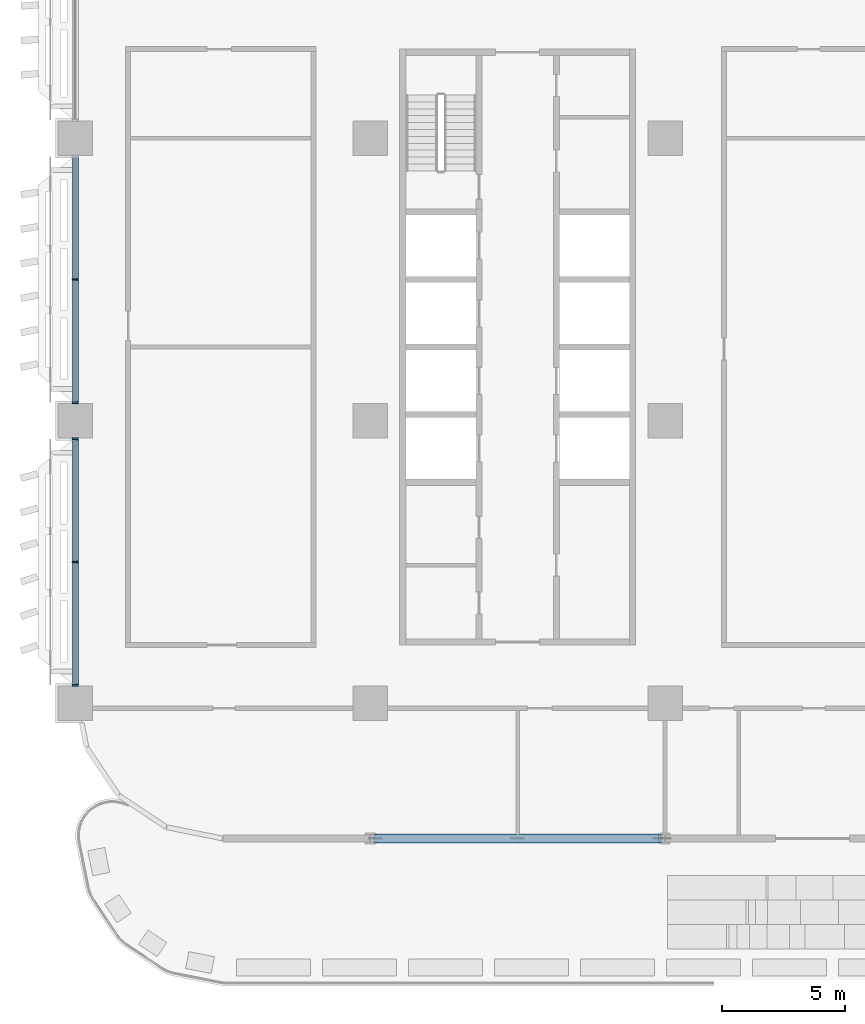
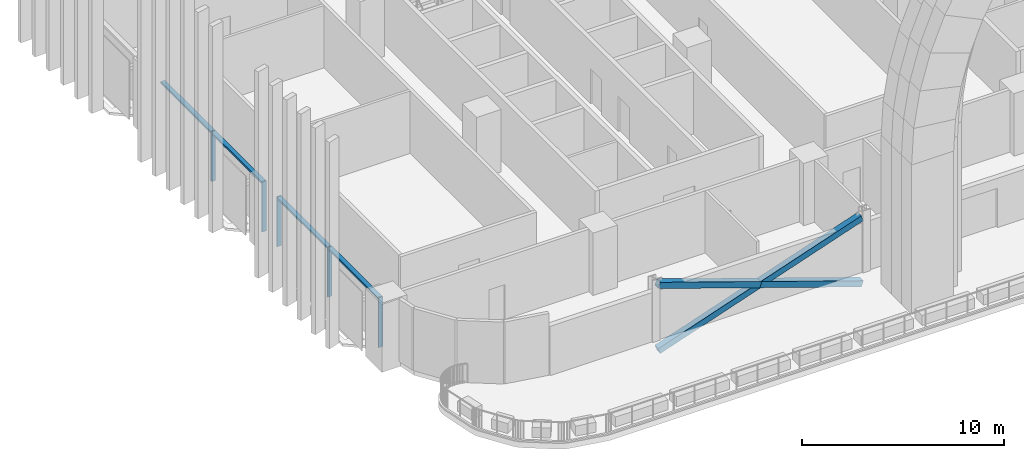
# One storey, part 3 of 31: 12 members, 2 elements without a shape of their own.
"""IFC4 building model written with IfcOpenShell, lengths in metres."""

from ifc_helpers import new_model, si_unit, direction, frame, origin, origin_2d, place, context, subcontext, project, spatial, rectangle, hollow_rectangle, extrude, material, material_profile, profile_set, type_object, element, aggregate, save


model = new_model("IFC4")

# Units and contexts
model_context = context("Model", 3, precision=1e-05, world=origin(), true_north=direction((0.0, 1.0)))
body_context = subcontext(model_context, "Body", "Model", "MODEL_VIEW")
ifc_project = project(units=[si_unit("LENGTHUNIT", "METRE"), si_unit("AREAUNIT", "SQUARE_METRE"), si_unit("VOLUMEUNIT", "CUBIC_METRE"), si_unit("PLANEANGLEUNIT", "RADIAN"), si_unit("MASSUNIT", "GRAM", prefix="KILO")], contexts=[model_context])

# Site, building, storey
site_placement = place(None, origin())
site = spatial("IfcSite", under=ifc_project, at=site_placement, CompositionType="ELEMENT")
building_placement = place(site_placement, origin())
building = spatial("IfcBuilding", under=site, at=building_placement, Name="Mahtab Terrace Research Tower", CompositionType="ELEMENT")
storey_placement = place(building_placement, frame((0.0, 0.0, 84.800048828125)))
storey = spatial("IfcBuildingStorey", under=building, at=storey_placement, Name="L19", CompositionType="ELEMENT", Elevation=84.800048828125)

# Members
ifc_material_1 = material(Name="Steel ASTM A500 Gr C", Category="steel")
ifc_material_profile_1 = material_profile(ifc_material_1, hollow_rectangle(XDim=0.355712890625, YDim=0.355712890625, WallThickness=0.01904296875, at=origin_2d()), Name="HSS14X14X3/4")
ifc_profile_set_1 = profile_set([ifc_material_profile_1], Name="Steel ASTM A500 Gr C")
member_type_1 = type_object("IfcMemberType", Name="HSS 14x14x3/4 brace XB141434", PredefinedType="BRACE", material=ifc_profile_set_1)
member_1_placement = place(storey_placement, frame((-29.79052734375, -17.0, -0.64697265625), z_axis=(0.946292853795, 0.0, 0.323310740397), x_axis=(0.0, 1.0, 0.0)))
element("IfcMember", 1, at=member_1_placement, inside=storey, type_object=member_type_1, Name="Exoskeleton brace L19 13 a", PredefinedType="BRACE", context=body_context, shape_type="SweptSolid", body=[
    extrude(hollow_rectangle(XDim=0.355712890625, YDim=0.355712890625, WallThickness=0.01904296875, at=origin_2d()), origin(), (0.0, 0.0, 1.0), 12.23828125),
])
for number, where, z_axis, x_axis, name in (
    (2, (-18.20947265625, -17.0, -0.64697265625), (-0.946286750388, 0.0, 0.323328603809), (0.0, -1.0, 0.0), "Exoskeleton brace L19 13 b1"),
    (3, (-24.0, -17.0, 1.33154296875), (-0.946298956945, 0.0, 0.323292876639), (0.0, -1.0, 0.0), "Exoskeleton brace L19 13 b2"),
):
    element("IfcMember", number, at=place(storey_placement, frame(where, z_axis=z_axis, x_axis=x_axis)), inside=storey, type_object=member_type_1, Name=name, PredefinedType="BRACE", context=body_context, shape_type="SweptSolid", body=[
        extrude(hollow_rectangle(XDim=0.355712890625, YDim=0.355712890625, WallThickness=0.01904296875, at=origin_2d()), origin(), (0.0, 0.0, 1.0), 6.119140625),
    ])

# Curtain wall, members
ifc_material_2 = material(Name="Sky lounge full-height curtain wall")
curtain_wall_type = type_object("IfcCurtainWallType", Name="Sky lounge full-height curtain wall", PredefinedType="NOTDEFINED", material=ifc_material_2)
curtain_wall_1_placement = place(storey_placement, origin())
curtain_wall_1 = element("IfcCurtainWall", 4, at=curtain_wall_1_placement, inside=storey, type_object=curtain_wall_type, Name="EN.L19.8.17", PredefinedType="NOTDEFINED")
ifc_material_3 = material(Name="Natural anodised aluminium", Category="aluminium")
ifc_material_profile_2 = material_profile(ifc_material_3, rectangle(XDim=0.25, YDim=0.070068359375, at=origin_2d()), Name="MULLION 70x250")
ifc_profile_set_2 = profile_set([ifc_material_profile_2], Name="Natural anodised aluminium")
member_type_2 = type_object("IfcMemberType", Name="Sky lounge full-height curtain wall mullion", PredefinedType="MULLION", material=ifc_profile_set_2)
member_2_placement = place(storey_placement, frame((-42.0, 5.75, 0.0), z_axis=(0.0, 0.0, 1.0), x_axis=(1.0, 0.0, 0.0)))
member_2 = element("IfcMember", 5, at=member_2_placement, type_object=member_type_2, Name="CWS-3 mullion 2", PredefinedType="MULLION", context=body_context, shape_type="SweptSolid", body=[
    extrude(rectangle(XDim=0.25, YDim=0.070068359375, at=origin_2d()), origin(), (0.0, 0.0, 1.0), 3.0029296875),
])
member_3_placement = place(storey_placement, frame((-42.0, 0.735107421875, 0.0), z_axis=(0.0, 0.0, 1.0), x_axis=(1.0, 0.0, 0.0)))
member_3 = element("IfcMember", 6, at=member_3_placement, type_object=member_type_2, Name="CWS-3 mullion 3", PredefinedType="MULLION", context=body_context, shape_type="SweptSolid", body=[
    extrude(rectangle(XDim=0.25, YDim=0.070068359375, at=origin_2d()), origin(), (0.0, 0.0, 1.0), 3.0029296875),
])

curtain_wall_2_placement = place(storey_placement, origin())
curtain_wall_2 = element("IfcCurtainWall", 7, at=curtain_wall_2_placement, inside=storey, type_object=curtain_wall_type, Name="EN.L19.8.18", PredefinedType="NOTDEFINED")
member_4_placement = place(storey_placement, frame((-42.0, -0.735107421875, 0.0), z_axis=(0.0, 0.0, 1.0), x_axis=(1.0, 0.0, 0.0)))
member_4 = element("IfcMember", 8, at=member_4_placement, type_object=member_type_2, Name="CWS-3 mullion 1", PredefinedType="MULLION", context=body_context, shape_type="SweptSolid", body=[
    extrude(rectangle(XDim=0.25, YDim=0.070068359375, at=origin_2d()), origin(), (0.0, 0.0, 1.0), 3.0029296875),
])
member_5_placement = place(storey_placement, frame((-42.0, -5.75, 0.0), z_axis=(0.0, 0.0, 1.0), x_axis=(1.0, 0.0, 0.0)))
member_5 = element("IfcMember", 9, at=member_5_placement, type_object=member_type_2, Name="CWS-3 mullion 2", PredefinedType="MULLION", context=body_context, shape_type="SweptSolid", body=[
    extrude(rectangle(XDim=0.25, YDim=0.070068359375, at=origin_2d()), origin(), (0.0, 0.0, 1.0), 3.0029296875),
])
member_6_placement = place(storey_placement, frame((-42.0, -10.764892578125, 0.0), z_axis=(0.0, 0.0, 1.0), x_axis=(1.0, 0.0, 0.0)))
member_6 = element("IfcMember", 10, at=member_6_placement, type_object=member_type_2, Name="CWS-3 mullion 3", PredefinedType="MULLION", context=body_context, shape_type="SweptSolid", body=[
    extrude(rectangle(XDim=0.25, YDim=0.070068359375, at=origin_2d()), origin(), (0.0, 0.0, 1.0), 3.0029296875),
])

# Member
ifc_material_profile_3 = material_profile(ifc_material_3, rectangle(XDim=0.25, YDim=0.1201171875, at=origin_2d()), Name="TRANSOM 120x250")
ifc_profile_set_3 = profile_set([ifc_material_profile_3], Name="Natural anodised aluminium")
member_type_3 = type_object("IfcMemberType", Name="Sky lounge full-height curtain wall transom", PredefinedType="USERDEFINED", material=ifc_profile_set_3)
member_7_placement = place(storey_placement, frame((-42.0, 10.72998046875, 2.943115234375), z_axis=(0.0, -1.0, 0.0), x_axis=(1.0, 0.0, 0.0)))
member_7 = element("IfcMember", 11, at=member_7_placement, type_object=member_type_3, Name="CWS-3 transom 1", ObjectType="TRANSOM", PredefinedType="USERDEFINED", context=body_context, shape_type="SweptSolid", body=[
    extrude(rectangle(XDim=0.25, YDim=0.1201171875, at=origin_2d()), origin(), (0.0, 0.0, 1.0), 4.945068359375),
])

member_8_placement = place(storey_placement, frame((-42.0, 5.715087890625, 2.943115234375), z_axis=(0.0, -1.0, 0.0), x_axis=(1.0, 0.0, 0.0)))
member_8 = element("IfcMember", 12, at=member_8_placement, type_object=member_type_3, Name="CWS-3 transom 2", ObjectType="TRANSOM", PredefinedType="USERDEFINED", context=body_context, shape_type="SweptSolid", body=[
    extrude(rectangle(XDim=0.25, YDim=0.1201171875, at=origin_2d()), origin(), (0.0, 0.0, 1.0), 4.945068359375),
])

aggregate(curtain_wall_1, [member_2, member_3, member_7, member_8])

member_9_placement = place(storey_placement, frame((-42.0, -0.77001953125, 2.943115234375), z_axis=(0.0, -1.0, 0.0), x_axis=(1.0, 0.0, 0.0)))
member_9 = element("IfcMember", 13, at=member_9_placement, type_object=member_type_3, Name="CWS-3 transom 1", ObjectType="TRANSOM", PredefinedType="USERDEFINED", context=body_context, shape_type="SweptSolid", body=[
    extrude(rectangle(XDim=0.25, YDim=0.1201171875, at=origin_2d()), origin(), (0.0, 0.0, 1.0), 4.945068359375),
])

member_10_placement = place(storey_placement, frame((-42.0, -5.784912109375, 2.943115234375), z_axis=(0.0, -1.0, 0.0), x_axis=(1.0, 0.0, 0.0)))
member_10 = element("IfcMember", 14, at=member_10_placement, type_object=member_type_3, Name="CWS-3 transom 2", ObjectType="TRANSOM", PredefinedType="USERDEFINED", context=body_context, shape_type="SweptSolid", body=[
    extrude(rectangle(XDim=0.25, YDim=0.1201171875, at=origin_2d()), origin(), (0.0, 0.0, 1.0), 4.945068359375),
])

aggregate(curtain_wall_2, [member_4, member_5, member_6, member_9, member_10])

save(model, "model.ifc")
